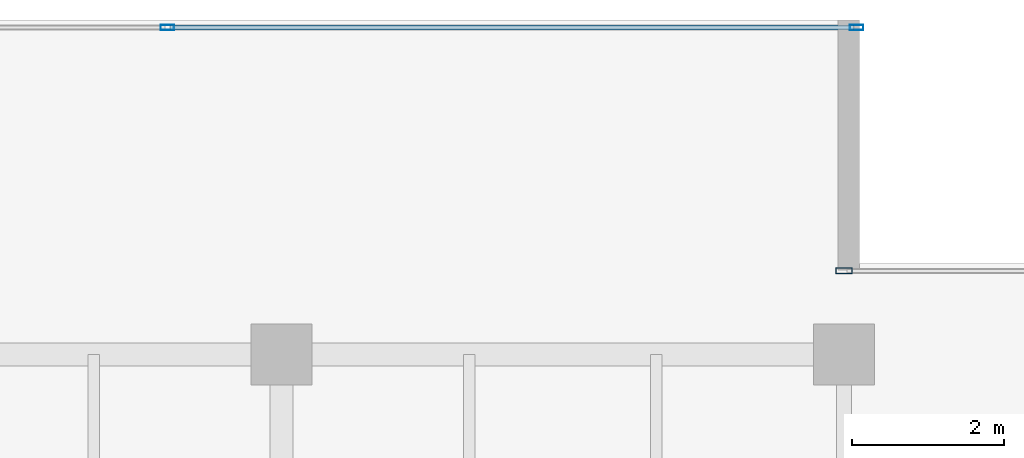
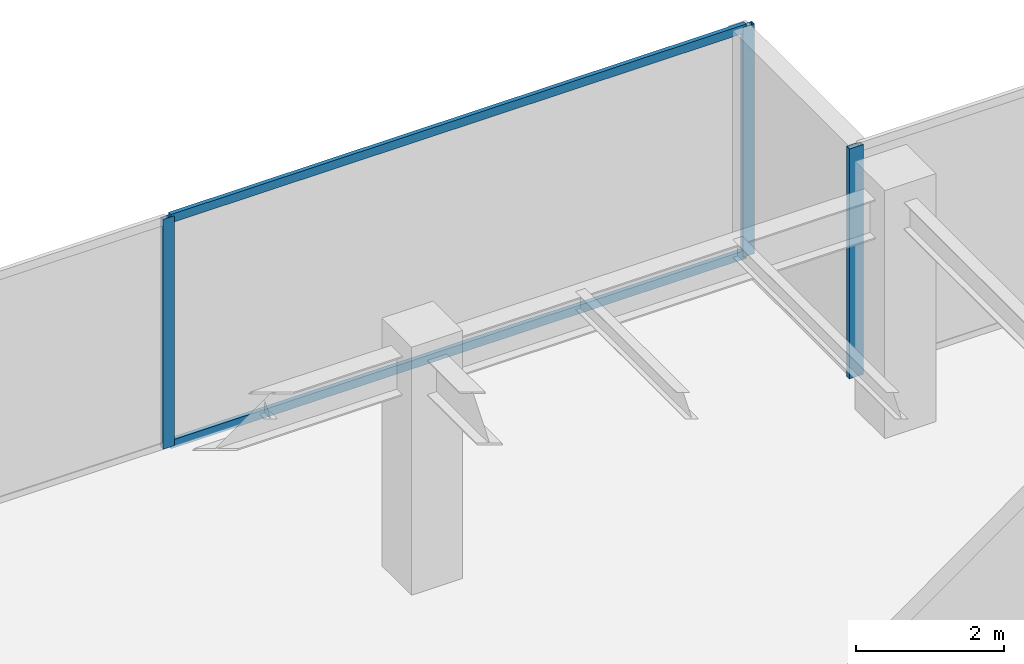
# One storey, part 21 of 33: 5 members, 2 elements without a shape of their own.
"""IFC4 building model written with IfcOpenShell, lengths in metres."""

from ifc_helpers import new_model, si_unit, direction, frame, origin, origin_2d, place, context, subcontext, project, spatial, hollow_rectangle, extrude, source, transform, mapped, material, layer, layer_set, material_profile, profile_set, type_object, type_shapes, element, aggregate, save


model = new_model("IFC4")

# Units and contexts
model_context = context("Model", 3, precision=1e-05, world=origin(), true_north=direction((0.0, 1.0)))
body_context = subcontext(model_context, "Body", "Model", "MODEL_VIEW")
ifc_project = project(units=[si_unit("LENGTHUNIT", "METRE"), si_unit("AREAUNIT", "SQUARE_METRE"), si_unit("VOLUMEUNIT", "CUBIC_METRE"), si_unit("PLANEANGLEUNIT", "RADIAN"), si_unit("MASSUNIT", "GRAM", prefix="KILO")], contexts=[model_context])

# Site, building, storey
site_placement = place(None, origin())
site = spatial("IfcSite", under=ifc_project, at=site_placement, CompositionType="ELEMENT")
building_placement = place(site_placement, origin())
building = spatial("IfcBuilding", under=site, at=building_placement, Name="Haelvirn Gate Laboratories", CompositionType="ELEMENT")
storey_placement = place(building_placement, frame((0.0, 0.0, 209.60009765625)))
storey = spatial("IfcBuildingStorey", under=building, at=storey_placement, Name="L50", CompositionType="ELEMENT", Elevation=209.60009765625)

# Curtain wall, members
ifc_material_1 = material(Name="Anodised bronze unitised aluminium & triple low-E glass", Category="aluminium")
ifc_layer_1 = layer(ifc_material_1, 0.176025390625, Name="CW-SYS-4")
ifc_layer_set_1 = layer_set([ifc_layer_1], Name="Anodised bronze unitised aluminium & triple low-E glass")
curtain_wall_type_1 = type_object("IfcCurtainWallType", Name="CW-SYS-4", PredefinedType="NOTDEFINED", material=ifc_layer_set_1)
curtain_wall_1_placement = place(storey_placement, origin())
curtain_wall_1 = element("IfcCurtainWall", 1, at=curtain_wall_1_placement, inside=storey, type_object=curtain_wall_type_1, Name="L50 Unitised Curtain Wall CW-L50-P0-E10-1", PredefinedType="NOTDEFINED")
ifc_material_2 = material(Name="Extruded aluminium 6063-T6 (anodised bronze)", Category="aluminium")
ifc_material_profile_1 = material_profile(ifc_material_2, hollow_rectangle(XDim=0.06494140625, YDim=0.139892578125, WallThickness=0.00390625, at=origin_2d()), Name="CWT-140x65x4")
ifc_profile_set_1 = profile_set([ifc_material_profile_1], Name="Extruded aluminium 6063-T6 (anodised bronze)")
member_type_1 = type_object("IfcMemberType", Name="CWT-T140", PredefinedType="USERDEFINED", material=ifc_profile_set_1)
shared_shape_1 = source(origin(), body_context, "Body", "SweptSolid", [
    extrude(hollow_rectangle(XDim=0.06494140625, YDim=0.139892578125, WallThickness=0.00390625, at=origin_2d()), origin(), (0.0, 0.0, 1.0), 8.9951171875),
])
type_shapes(member_type_1, [shared_shape_1])
member_1_placement = place(storey_placement, frame((58.534912109375, 45.89990234375, 0.032470703125), z_axis=(1.0, 0.0, 0.0), x_axis=(0.0, 1.0, 0.0)))
member_1 = element("IfcMember", 2, at=member_1_placement, type_object=member_type_1, Name="CW4 transom 2.1", ObjectType="TRANSOM", PredefinedType="USERDEFINED", context=body_context, shape_type="MappedRepresentation", body=[
    mapped(shared_shape_1, transform((0.0, 0.0, 0.0), scale=1.0)),
])
member_2_placement = place(storey_placement, frame((58.534912109375, 45.89990234375, 3.767333984375), z_axis=(1.0, 0.0, 0.0), x_axis=(0.0, 1.0, 0.0)))
member_2 = element("IfcMember", 3, at=member_2_placement, type_object=member_type_1, Name="CW4 transom 2.2", ObjectType="TRANSOM", PredefinedType="USERDEFINED", context=body_context, shape_type="MappedRepresentation", body=[
    mapped(shared_shape_1, transform((0.0, 0.0, 0.0), scale=1.0)),
])
ifc_material_profile_2 = material_profile(ifc_material_2, hollow_rectangle(XDim=0.070068359375, YDim=0.179931640625, WallThickness=0.0048828125, at=origin_2d()), Name="CWM-180x70x5")
ifc_profile_set_2 = profile_set([ifc_material_profile_2], Name="Extruded aluminium 6063-T6 (anodised bronze)")
member_type_2 = type_object("IfcMemberType", Name="CWM-T180", PredefinedType="MULLION", material=ifc_profile_set_2)
shared_shape_2 = source(origin(), body_context, "Body", "SweptSolid", [
    extrude(hollow_rectangle(XDim=0.070068359375, YDim=0.179931640625, WallThickness=0.0048828125, at=origin_2d()), origin(), (0.0, 0.0, 1.0), 3.7998046875),
])
type_shapes(member_type_2, [shared_shape_2])
member_3_placement = place(storey_placement, frame((58.5, 45.89990234375, 0.0), z_axis=(0.0, 0.0, 1.0), x_axis=(0.0, 1.0, 0.0)))
member_3 = element("IfcMember", 4, at=member_3_placement, type_object=member_type_2, Name="CW4 mullion 2", PredefinedType="MULLION", context=body_context, shape_type="MappedRepresentation", body=[
    mapped(shared_shape_2, transform((0.0, 0.0, 0.0), scale=1.0)),
])
member_4_placement = place(storey_placement, frame((67.56494140625, 45.89990234375, 0.0), z_axis=(0.0, 0.0, 1.0), x_axis=(0.0, 1.0, 0.0)))
member_4 = element("IfcMember", 5, at=member_4_placement, type_object=member_type_2, Name="CW4 mullion 3", PredefinedType="MULLION", context=body_context, shape_type="MappedRepresentation", body=[
    mapped(shared_shape_2, transform((0.0, 0.0, 0.0), scale=1.0)),
])
aggregate(curtain_wall_1, [member_3, member_4, member_1, member_2])

# Curtain wall, member
ifc_layer_2 = layer(ifc_material_1, 0.181884765625, Name="CW-SYS-5")
ifc_layer_set_2 = layer_set([ifc_layer_2], Name="Anodised bronze unitised aluminium & triple low-E glass")
curtain_wall_type_2 = type_object("IfcCurtainWallType", Name="CW-SYS-5", PredefinedType="NOTDEFINED", material=ifc_layer_set_2)
curtain_wall_2_placement = place(storey_placement, origin())
curtain_wall_2 = element("IfcCurtainWall", 6, at=curtain_wall_2_placement, inside=storey, type_object=curtain_wall_type_2, Name="L50 Unitised Curtain Wall CW-L50-P0-E08-1", PredefinedType="NOTDEFINED")
ifc_material_profile_3 = material_profile(ifc_material_2, hollow_rectangle(XDim=0.080078125, YDim=0.219970703125, WallThickness=0.006103515625, at=origin_2d()), Name="CWM-220x80x6")
ifc_profile_set_3 = profile_set([ifc_material_profile_3], Name="Extruded aluminium 6063-T6 (anodised bronze)")
member_type_3 = type_object("IfcMemberType", Name="CWM-T220", PredefinedType="MULLION", material=ifc_profile_set_3)
shared_shape_3 = source(origin(), body_context, "Body", "SweptSolid", [
    extrude(hollow_rectangle(XDim=0.080078125, YDim=0.219970703125, WallThickness=0.006103515625, at=origin_2d()), origin(), (0.0, 0.0, 1.0), 3.7998046875),
])
type_shapes(member_type_3, [shared_shape_3])
member_5_placement = place(storey_placement, frame((67.39990234375, 42.699951171875, 0.0), z_axis=(0.0, 0.0, 1.0), x_axis=(0.0, 1.0, 0.0)))
member_5 = element("IfcMember", 7, at=member_5_placement, type_object=member_type_3, Name="CW5 mullion 1", PredefinedType="MULLION", context=body_context, shape_type="MappedRepresentation", body=[
    mapped(shared_shape_3, transform((0.0, 0.0, 0.0), scale=1.0)),
])
aggregate(curtain_wall_2, [member_5])

save(model, "model.ifc")
